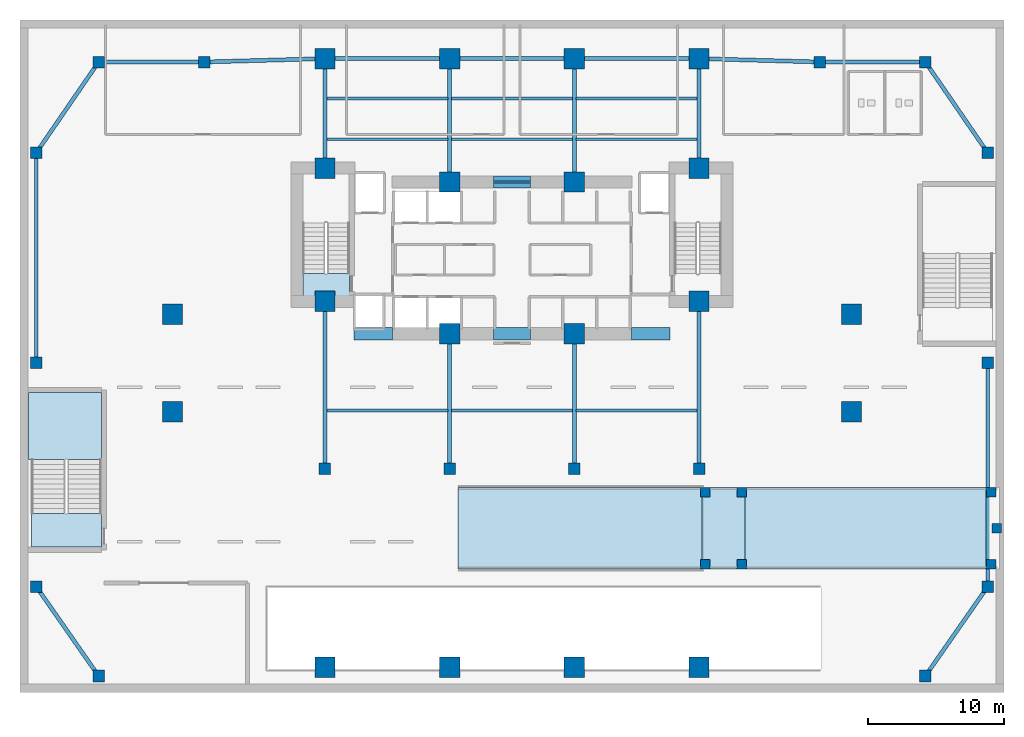
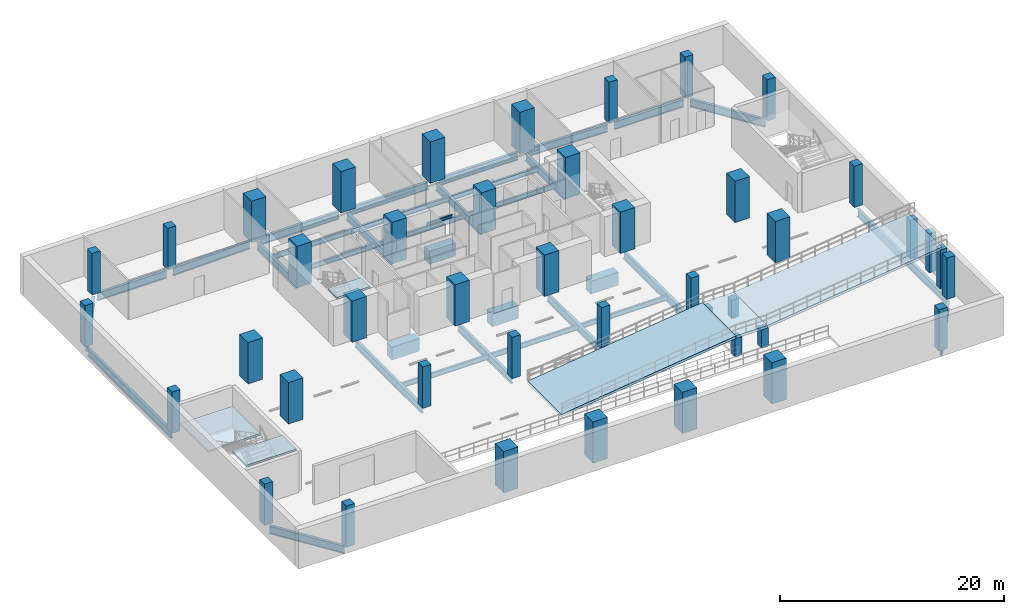
# One storey, part 1 of 13: 43 columns, 35 beams, 6 slabs, 2 elements without a shape of their own.
"""IFC4 building model written with IfcOpenShell, lengths in metres."""

from ifc_helpers import new_model, si_unit, direction, frame, origin, origin_2d, place, context, subcontext, project, spatial, polyline, rectangle, i_section, outline, extrude, material, layer, layer_set, material_profile, profile_set, type_object, element, aggregate, save


model = new_model("IFC4")

# Units and contexts
model_context = context("Model", 3, precision=1e-05, world=origin(), true_north=direction((0.0, 1.0)))
body_context = subcontext(model_context, "Body", "Model", "MODEL_VIEW")
ifc_project = project(units=[si_unit("LENGTHUNIT", "METRE"), si_unit("AREAUNIT", "SQUARE_METRE"), si_unit("VOLUMEUNIT", "CUBIC_METRE"), si_unit("PLANEANGLEUNIT", "RADIAN"), si_unit("MASSUNIT", "GRAM", prefix="KILO")], contexts=[model_context])

# Site, building, storey
site_placement = place(None, origin())
site = spatial("IfcSite", under=ifc_project, at=site_placement, CompositionType="ELEMENT")
building_placement = place(site_placement, origin())
building = spatial("IfcBuilding", under=site, at=building_placement, Name="Zuhayl Quay Hotel", CompositionType="ELEMENT")
storey_placement = place(building_placement, frame((0.0, 0.0, -4.5)))
storey = spatial("IfcBuildingStorey", under=building, at=storey_placement, Name="B1", CompositionType="ELEMENT", Elevation=-4.5)

# Columns
ifc_material_1 = material(Name="Concrete C70/85", Category="concrete")
ifc_material_profile_1 = material_profile(ifc_material_1, rectangle(XDim=1.5, YDim=1.5, at=origin_2d()), Name="RC1500X1500")
ifc_profile_set_1 = profile_set([ifc_material_profile_1], Name="Concrete C70/85")
column_type_1 = type_object("IfcColumnType", Name="CL_CC1_1500", PredefinedType="COLUMN", material=ifc_profile_set_1)
for number, where, z_axis, x_axis, name in (
    (1, (-13.800048828125, 14.35009765625, 0.0), (0.0, 0.0, 1.0), (1.0, 0.0, 0.0), "B1 Core Column CC_NW"),
    (2, (-4.60009765625, 13.35009765625, 0.0), (0.0, 0.0, 1.0), (1.0, 0.0, 0.0), "B1 Core Column CC_CNW"),
    (3, (4.60009765625, 13.35009765625, 0.0), (0.0, 0.0, 1.0), (1.0, 0.0, 0.0), "B1 Core Column CC_CNE"),
    (4, (13.800048828125, 14.35009765625, 0.0), (0.0, 0.0, 1.0), (1.0, 0.0, 0.0), "B1 Core Column CC_NE"),
    (5, (-13.800048828125, 4.550048828125, 0.0), (0.0, 0.0, 1.0), (1.0, 0.0, 0.0), "B1 Core Column CC_SW"),
    (6, (-4.60009765625, 2.14990234375, 0.0), (0.0, 0.0, 1.0), (1.0, 0.0, 0.0), "B1 Core Column CC_CSW"),
    (7, (4.60009765625, 2.14990234375, 0.0), (0.0, 0.0, 1.0), (1.0, 0.0, 0.0), "B1 Core Column CC_CSE"),
    (8, (13.800048828125, 4.550048828125, 0.0), (0.0, 0.0, 1.0), (1.0, 0.0, 0.0), "B1 Core Column CC_SE"),
):
    element("IfcColumn", number, at=place(storey_placement, frame(where, z_axis=z_axis, x_axis=x_axis)), inside=storey, type_object=column_type_1, Name=name, PredefinedType="COLUMN", context=body_context, shape_type="SweptSolid", body=[
        extrude(rectangle(XDim=1.5, YDim=1.5, at=origin_2d()), origin(), (0.0, 0.0, 1.0), 4.5),
    ])
ifc_material_profile_2 = material_profile(ifc_material_1, rectangle(XDim=1.5, YDim=1.5, at=origin_2d()), Name="RC1500X1500")
ifc_profile_set_2 = profile_set([ifc_material_profile_2], Name="Concrete C70/85")
column_type_2 = type_object("IfcColumnType", Name="CL_MC1_1500", PredefinedType="COLUMN", material=ifc_profile_set_2)
for number, where, z_axis, x_axis, name in (
    (9, (-13.800048828125, -22.449951171875, 0.0), (0.0, 0.0, 1.0), (1.0, 0.0, 0.0), "B1 Mega-Column MC_S1"),
    (10, (-4.60009765625, -22.449951171875, 0.0), (0.0, 0.0, 1.0), (1.0, 0.0, 0.0), "B1 Mega-Column MC_S2"),
    (11, (4.60009765625, -22.449951171875, 0.0), (0.0, 0.0, 1.0), (1.0, 0.0, 0.0), "B1 Mega-Column MC_S3"),
    (12, (13.800048828125, -22.449951171875, 0.0), (0.0, 0.0, 1.0), (1.0, 0.0, 0.0), "B1 Mega-Column MC_S4"),
    (13, (-13.800048828125, 22.449951171875, 0.0), (0.0, 0.0, 1.0), (1.0, 0.0, 0.0), "B1 Mega-Column MC_N1"),
    (14, (-4.60009765625, 22.449951171875, 0.0), (0.0, 0.0, 1.0), (1.0, 0.0, 0.0), "B1 Mega-Column MC_N2"),
    (15, (4.60009765625, 22.449951171875, 0.0), (0.0, 0.0, 1.0), (1.0, 0.0, 0.0), "B1 Mega-Column MC_N3"),
    (16, (13.800048828125, 22.449951171875, 0.0), (0.0, 0.0, 1.0), (1.0, 0.0, 0.0), "B1 Mega-Column MC_N4"),
    (17, (-25.050048828125, -3.60009765625, 0.0), (0.0, 0.0, 1.0), (1.0, 0.0, 0.0), "B1 Mega-Column MC_W1"),
    (18, (-25.050048828125, 3.60009765625, 0.0), (0.0, 0.0, 1.0), (1.0, 0.0, 0.0), "B1 Mega-Column MC_W2"),
    (19, (25.050048828125, -3.60009765625, 0.0), (0.0, 0.0, 1.0), (1.0, 0.0, 0.0), "B1 Mega-Column MC_E1"),
    (20, (25.050048828125, 3.60009765625, 0.0), (0.0, 0.0, 1.0), (1.0, 0.0, 0.0), "B1 Mega-Column MC_E2"),
):
    element("IfcColumn", number, at=place(storey_placement, frame(where, z_axis=z_axis, x_axis=x_axis)), inside=storey, type_object=column_type_2, Name=name, PredefinedType="COLUMN", context=body_context, shape_type="SweptSolid", body=[
        extrude(rectangle(XDim=1.5, YDim=1.5, at=origin_2d()), origin(), (0.0, 0.0, 1.0), 4.5),
    ])
ifc_material_2 = material(Name="Concrete C50/60", Category="concrete")
ifc_material_profile_3 = material_profile(ifc_material_2, rectangle(XDim=0.85009765625, YDim=0.85009765625, at=origin_2d()), Name="RC850X850")
ifc_profile_set_3 = profile_set([ifc_material_profile_3], Name="Concrete C50/60")
column_type_3 = type_object("IfcColumnType", Name="CL_PC1_850", PredefinedType="COLUMN", material=ifc_profile_set_3)
for number, where, z_axis, x_axis, name in (
    (21, (-30.5, -23.10009765625, 0.0), (0.0, 0.0, 1.0), (1.0, 0.0, 0.0), "B1 Podium Column PC_SW"),
    (22, (30.5, -23.10009765625, 0.0), (0.0, 0.0, 1.0), (1.0, 0.0, 0.0), "B1 Podium Column PC_SE"),
    (23, (-30.5, 22.199951171875, 0.0), (0.0, 0.0, 1.0), (1.0, 0.0, 0.0), "B1 Podium Column PC_NW"),
    (24, (30.5, 22.199951171875, 0.0), (0.0, 0.0, 1.0), (1.0, 0.0, 0.0), "B1 Podium Column PC_NE"),
    (25, (-35.10009765625, -16.5, 0.0), (0.0, 0.0, 1.0), (1.0, 0.0, 0.0), "B1 Podium Column PC_W1"),
    (26, (-35.10009765625, 0.0, 0.0), (0.0, 0.0, 1.0), (1.0, 0.0, 0.0), "B1 Podium Column PC_W2"),
    (27, (-35.10009765625, 15.5, 0.0), (0.0, 0.0, 1.0), (1.0, 0.0, 0.0), "B1 Podium Column PC_W3"),
    (28, (35.10009765625, -16.5, 0.0), (0.0, 0.0, 1.0), (1.0, 0.0, 0.0), "B1 Podium Column PC_E1"),
    (29, (35.10009765625, 0.0, 0.0), (0.0, 0.0, 1.0), (1.0, 0.0, 0.0), "B1 Podium Column PC_E2"),
    (30, (35.10009765625, 15.5, 0.0), (0.0, 0.0, 1.0), (1.0, 0.0, 0.0), "B1 Podium Column PC_E3"),
    (31, (-22.699951171875, 22.199951171875, 0.0), (0.0, 0.0, 1.0), (1.0, 0.0, 0.0), "B1 Podium Column PC_N1"),
    (32, (22.699951171875, 22.199951171875, 0.0), (0.0, 0.0, 1.0), (1.0, 0.0, 0.0), "B1 Podium Column PC_N2"),
    (33, (-13.800048828125, -7.800048828125, 0.0), (0.0, 0.0, 1.0), (1.0, 0.0, 0.0), "B1 Podium Column BC_C1"),
    (34, (-4.60009765625, -7.800048828125, 0.0), (0.0, 0.0, 1.0), (1.0, 0.0, 0.0), "B1 Podium Column BC_C2"),
    (35, (4.60009765625, -7.800048828125, 0.0), (0.0, 0.0, 1.0), (1.0, 0.0, 0.0), "B1 Podium Column BC_C3"),
    (36, (13.800048828125, -7.800048828125, 0.0), (0.0, 0.0, 1.0), (1.0, 0.0, 0.0), "B1 Podium Column BC_C4"),
):
    element("IfcColumn", number, at=place(storey_placement, frame(where, z_axis=z_axis, x_axis=x_axis)), inside=storey, type_object=column_type_3, Name=name, PredefinedType="COLUMN", context=body_context, shape_type="SweptSolid", body=[
        extrude(rectangle(XDim=0.85009765625, YDim=0.85009765625, at=origin_2d()), origin(), (0.0, 0.0, 1.0), 4.5),
    ])
ifc_material_profile_4 = material_profile(ifc_material_2, rectangle(XDim=0.699951171875, YDim=0.699951171875, at=origin_2d()), Name="RC700X700")
ifc_profile_set_4 = profile_set([ifc_material_profile_4], Name="Concrete C50/60")
column_type_4 = type_object("IfcColumnType", Name="CL_PC2_700", PredefinedType="COLUMN", material=ifc_profile_set_4)
for number, where, z_axis, x_axis, name in (
    (37, (14.25, -14.85009765625, 0.0), (0.0, 0.0, 1.0), (1.0, 0.0, 0.0), "B1 Vehicle Ramp Support Column 1"),
    (38, (16.949951171875, -14.85009765625, 0.0), (0.0, 0.0, 1.0), (1.0, 0.0, 0.0), "B1 Vehicle Ramp Support Column 2"),
    (39, (14.25, -9.550048828125, 0.0), (0.0, 0.0, 1.0), (1.0, 0.0, 0.0), "B1 Vehicle Ramp Support Column 3"),
    (40, (16.949951171875, -9.550048828125, 0.0), (0.0, 0.0, 1.0), (1.0, 0.0, 0.0), "B1 Vehicle Ramp Support Column 4"),
):
    element("IfcColumn", number, at=place(storey_placement, frame(where, z_axis=z_axis, x_axis=x_axis)), inside=storey, type_object=column_type_4, Name=name, PredefinedType="COLUMN", context=body_context, shape_type="SweptSolid", body=[
        extrude(rectangle(XDim=0.699951171875, YDim=0.699951171875, at=origin_2d()), origin(), (0.0, 0.0, 1.0), 1.969970703125),
    ])
for number, where, z_axis, x_axis, name in (
    (41, (35.35009765625, -14.85009765625, 0.0), (0.0, 0.0, 1.0), (1.0, 0.0, 0.0), "B1 Grade Ramp Arrival Column 1"),
    (42, (35.35009765625, -9.550048828125, 0.0), (0.0, 0.0, 1.0), (1.0, 0.0, 0.0), "B1 Grade Ramp Arrival Column 2"),
    (43, (35.75, -12.199951171875, 0.0), (0.0, 0.0, 1.0), (1.0, 0.0, 0.0), "B1 Grade Ramp Arrival Column 3"),
):
    element("IfcColumn", number, at=place(storey_placement, frame(where, z_axis=z_axis, x_axis=x_axis)), inside=storey, type_object=column_type_4, Name=name, PredefinedType="COLUMN", context=body_context, shape_type="SweptSolid", body=[
        extrude(rectangle(XDim=0.699951171875, YDim=0.699951171875, at=origin_2d()), origin(), (0.0, 0.0, 1.0), 4.219970703125),
    ])

# Beams
ifc_material_3 = material(Name="Concrete C60/75", Category="concrete")
ifc_material_profile_5 = material_profile(ifc_material_3, rectangle(XDim=0.89990234375, YDim=1.39990234375, at=origin_2d()), Name="RC900X1400")
ifc_profile_set_5 = profile_set([ifc_material_profile_5], Name="Concrete C60/75")
beam_type_1 = type_object("IfcBeamType", Name="BM_CB1_RC900", PredefinedType="T_BEAM", material=ifc_profile_set_5)
for number, where, z_axis, x_axis, name in (
    (44, (-11.64990234375, 2.14990234375, -0.9599609375), (1.0, 0.0, 0.0), (0.0, 1.0, 0.0), "B1 Core Coupling Beam SW"),
    (45, (8.800048828125, 2.14990234375, -0.9599609375), (1.0, 0.0, 0.0), (0.0, 1.0, 0.0), "B1 Core Coupling Beam SE"),
):
    element("IfcBeam", number, at=place(storey_placement, frame(where, z_axis=z_axis, x_axis=x_axis)), inside=storey, type_object=beam_type_1, Name=name, PredefinedType="T_BEAM", context=body_context, shape_type="SweptSolid", body=[
        extrude(rectangle(XDim=0.89990234375, YDim=1.39990234375, at=origin_2d()), origin(), (0.0, 0.0, 1.0), 2.849853515625),
    ])
for number, where, z_axis, x_axis, name in (
    (46, (-1.35009765625, 13.35009765625, -0.9599609375), (1.0, 0.0, 0.0), (0.0, 1.0, 0.0), "B1 Core Coupling Beam North"),
    (47, (-1.35009765625, 2.14990234375, -0.9599609375), (1.0, 0.0, 0.0), (0.0, 1.0, 0.0), "B1 Core Coupling Beam South"),
):
    element("IfcBeam", number, at=place(storey_placement, frame(where, z_axis=z_axis, x_axis=x_axis)), inside=storey, type_object=beam_type_1, Name=name, PredefinedType="T_BEAM", context=body_context, shape_type="SweptSolid", body=[
        extrude(rectangle(XDim=0.89990234375, YDim=1.39990234375, at=origin_2d()), origin(), (0.0, 0.0, 1.0), 2.7001953125),
    ])
ifc_material_4 = material(Name="Steel ASTM A992 Grade 50", Category="steel")
ifc_material_profile_6 = material_profile(ifc_material_4, i_section(OverallWidth=0.208984375, OverallDepth=0.532958984375, WebThickness=0.01025390625, FlangeThickness=0.015625, at=origin_2d()), Name="W21X62")
ifc_profile_set_6 = profile_set([ifc_material_profile_6], Name="Steel ASTM A992 Grade 50")
beam_type_2 = type_object("IfcBeamType", Name="BM_J1_W21X62", PredefinedType="JOIST", material=ifc_profile_set_6)
beam_1_placement = place(storey_placement, frame((-13.662109375, -3.5, -0.526611328125), z_axis=(1.0, 0.0, 0.0), x_axis=(0.0, 1.0, 0.0)))
element("IfcBeam", 48, at=beam_1_placement, inside=storey, type_object=beam_type_2, Name="B1 Floor Beam J_POD_B1_3_1", PredefinedType="JOIST", context=body_context, shape_type="SweptSolid", body=[
    extrude(i_section(OverallWidth=0.208984375, OverallDepth=0.532958984375, WebThickness=0.01025390625, FlangeThickness=0.015625, at=origin_2d()), origin(), (0.0, 0.0, 1.0), 8.924072265625),
])
beam_2_placement = place(storey_placement, frame((-4.4619140625, -3.5, -0.526611328125), z_axis=(1.0, 0.0, 0.0), x_axis=(0.0, 1.0, 0.0)))
element("IfcBeam", 49, at=beam_2_placement, inside=storey, type_object=beam_type_2, Name="B1 Floor Beam J_POD_B1_3_2", PredefinedType="JOIST", context=body_context, shape_type="SweptSolid", body=[
    extrude(i_section(OverallWidth=0.208984375, OverallDepth=0.532958984375, WebThickness=0.01025390625, FlangeThickness=0.015625, at=origin_2d()), origin(), (0.0, 0.0, 1.0), 8.923828125),
])
for number, where, z_axis, x_axis, name in (
    (50, (4.738037109375, -3.5, -0.526611328125), (1.0, 0.0, 0.0), (0.0, 1.0, 0.0), "B1 Floor Beam J_POD_B1_3_3"),
    (51, (-13.662109375, 16.5, -0.526611328125), (1.0, 0.0, 0.0), (0.0, 1.0, 0.0), "B1 Floor Beam J_POD_B1_4_1"),
):
    element("IfcBeam", number, at=place(storey_placement, frame(where, z_axis=z_axis, x_axis=x_axis)), inside=storey, type_object=beam_type_2, Name=name, PredefinedType="JOIST", context=body_context, shape_type="SweptSolid", body=[
        extrude(i_section(OverallWidth=0.208984375, OverallDepth=0.532958984375, WebThickness=0.01025390625, FlangeThickness=0.015625, at=origin_2d()), origin(), (0.0, 0.0, 1.0), 8.924072265625),
    ])
beam_3_placement = place(storey_placement, frame((-4.4619140625, 16.5, -0.526611328125), z_axis=(1.0, 0.0, 0.0), x_axis=(0.0, 1.0, 0.0)))
element("IfcBeam", 52, at=beam_3_placement, inside=storey, type_object=beam_type_2, Name="B1 Floor Beam J_POD_B1_4_2", PredefinedType="JOIST", context=body_context, shape_type="SweptSolid", body=[
    extrude(i_section(OverallWidth=0.208984375, OverallDepth=0.532958984375, WebThickness=0.01025390625, FlangeThickness=0.015625, at=origin_2d()), origin(), (0.0, 0.0, 1.0), 8.923828125),
])
for number, where, z_axis, x_axis, name in (
    (53, (4.738037109375, 16.5, -0.526611328125), (1.0, 0.0, 0.0), (0.0, 1.0, 0.0), "B1 Floor Beam J_POD_B1_4_3"),
    (54, (-13.662109375, 19.5, -0.526611328125), (1.0, 0.0, 0.0), (0.0, 1.0, 0.0), "B1 Floor Beam J_POD_B1_5_1"),
):
    element("IfcBeam", number, at=place(storey_placement, frame(where, z_axis=z_axis, x_axis=x_axis)), inside=storey, type_object=beam_type_2, Name=name, PredefinedType="JOIST", context=body_context, shape_type="SweptSolid", body=[
        extrude(i_section(OverallWidth=0.208984375, OverallDepth=0.532958984375, WebThickness=0.01025390625, FlangeThickness=0.015625, at=origin_2d()), origin(), (0.0, 0.0, 1.0), 8.924072265625),
    ])
beam_4_placement = place(storey_placement, frame((-4.4619140625, 19.5, -0.526611328125), z_axis=(1.0, 0.0, 0.0), x_axis=(0.0, 1.0, 0.0)))
element("IfcBeam", 55, at=beam_4_placement, inside=storey, type_object=beam_type_2, Name="B1 Floor Beam J_POD_B1_5_2", PredefinedType="JOIST", context=body_context, shape_type="SweptSolid", body=[
    extrude(i_section(OverallWidth=0.208984375, OverallDepth=0.532958984375, WebThickness=0.01025390625, FlangeThickness=0.015625, at=origin_2d()), origin(), (0.0, 0.0, 1.0), 8.923828125),
])
beam_5_placement = place(storey_placement, frame((4.738037109375, 19.5, -0.526611328125), z_axis=(1.0, 0.0, 0.0), x_axis=(0.0, 1.0, 0.0)))
element("IfcBeam", 56, at=beam_5_placement, inside=storey, type_object=beam_type_2, Name="B1 Floor Beam J_POD_B1_5_3", PredefinedType="JOIST", context=body_context, shape_type="SweptSolid", body=[
    extrude(i_section(OverallWidth=0.208984375, OverallDepth=0.532958984375, WebThickness=0.01025390625, FlangeThickness=0.015625, at=origin_2d()), origin(), (0.0, 0.0, 1.0), 8.924072265625),
])
ifc_material_profile_7 = material_profile(ifc_material_4, i_section(OverallWidth=0.1650390625, OverallDepth=0.31005859375, WebThickness=0.005859375, FlangeThickness=0.009765625, at=origin_2d()), Name="W12X26")
ifc_profile_set_7 = profile_set([ifc_material_profile_7], Name="Steel ASTM A992 Grade 50")
beam_type_3 = type_object("IfcBeamType", Name="BM_LN1_W12X26", PredefinedType="LINTEL", material=ifc_profile_set_7)
beam_6_placement = place(storey_placement, frame((-1.35009765625, 13.35009765625, 2.449951171875), z_axis=(1.0, 0.0, 0.0), x_axis=(0.0, 1.0, 0.0)))
element("IfcBeam", 57, at=beam_6_placement, inside=storey, type_object=beam_type_3, Name="B1 Core Portal Header Steel Lintel LN1-2", PredefinedType="LINTEL", context=body_context, shape_type="SweptSolid", body=[
    extrude(i_section(OverallWidth=0.1650390625, OverallDepth=0.31005859375, WebThickness=0.005859375, FlangeThickness=0.009765625, at=origin_2d()), origin(), (0.0, 0.0, 1.0), 2.7001953125),
])
ifc_material_profile_8 = material_profile(ifc_material_4, i_section(OverallWidth=0.2919921875, OverallDepth=0.845947265625, WebThickness=0.015380859375, FlangeThickness=0.0244140625, at=origin_2d()), Name="W33X141")
ifc_profile_set_8 = profile_set([ifc_material_profile_8], Name="Steel ASTM A992 Grade 50")
beam_type_4 = type_object("IfcBeamType", Name="BM_PG3_W33X141", PredefinedType="BEAM", material=ifc_profile_set_8)
beam_7_placement = place(storey_placement, frame((-30.159912109375, 22.199951171875, -0.68310546875), z_axis=(1.0, 0.0, 0.0), x_axis=(0.0, 1.0, 0.0)))
element("IfcBeam", 58, at=beam_7_placement, inside=storey, type_object=beam_type_4, Name="B1 Floor Beam PG_N_B1_0", PredefinedType="BEAM", context=body_context, shape_type="SweptSolid", body=[
    extrude(i_section(OverallWidth=0.2919921875, OverallDepth=0.845947265625, WebThickness=0.015380859375, FlangeThickness=0.0244140625, at=origin_2d()), origin(), (0.0, 0.0, 1.0), 7.119873046875),
])
beam_8_placement = place(storey_placement, frame((-22.360107421875, 22.20947265625, -0.68310546875), z_axis=(0.99960539529, 0.028090099801, 0.0), x_axis=(-0.028090099801, 0.99960539529, 0.0)))
element("IfcBeam", 59, at=beam_8_placement, inside=storey, type_object=beam_type_4, Name="B1 Floor Beam PG_N_B1_1", PredefinedType="BEAM", context=body_context, shape_type="SweptSolid", body=[
    extrude(i_section(OverallWidth=0.2919921875, OverallDepth=0.845947265625, WebThickness=0.015380859375, FlangeThickness=0.0244140625, at=origin_2d()), origin(), (0.0, 0.0, 1.0), 8.013427734375),
])
for number, where, z_axis, x_axis, name in (
    (60, (-13.25, 22.449951171875, -0.68310546875), (1.0, 0.0, 0.0), (0.0, 1.0, 0.0), "B1 Floor Beam PG_N_B1_2"),
    (61, (-4.050048828125, 22.449951171875, -0.68310546875), (1.0, 0.0, 0.0), (0.0, 1.0, 0.0), "B1 Floor Beam PG_N_B1_3"),
    (62, (5.14990234375, 22.449951171875, -0.68310546875), (1.0, 0.0, 0.0), (0.0, 1.0, 0.0), "B1 Floor Beam PG_N_B1_4"),
):
    element("IfcBeam", number, at=place(storey_placement, frame(where, z_axis=z_axis, x_axis=x_axis)), inside=storey, type_object=beam_type_4, Name=name, PredefinedType="BEAM", context=body_context, shape_type="SweptSolid", body=[
        extrude(i_section(OverallWidth=0.2919921875, OverallDepth=0.845947265625, WebThickness=0.015380859375, FlangeThickness=0.0244140625, at=origin_2d()), origin(), (0.0, 0.0, 1.0), 8.10009765625),
    ])
beam_9_placement = place(storey_placement, frame((14.349853515625, 22.4345703125, -0.68310546875), z_axis=(0.99960539529, -0.028090099801, 0.0), x_axis=(0.028090099801, 0.99960539529, 0.0)))
element("IfcBeam", 63, at=beam_9_placement, inside=storey, type_object=beam_type_4, Name="B1 Floor Beam PG_N_B1_5", PredefinedType="BEAM", context=body_context, shape_type="SweptSolid", body=[
    extrude(i_section(OverallWidth=0.2919921875, OverallDepth=0.845947265625, WebThickness=0.015380859375, FlangeThickness=0.0244140625, at=origin_2d()), origin(), (0.0, 0.0, 1.0), 8.013427734375),
])
beam_10_placement = place(storey_placement, frame((23.0400390625, 22.199951171875, -0.68310546875), z_axis=(1.0, 0.0, 0.0), x_axis=(0.0, 1.0, 0.0)))
element("IfcBeam", 64, at=beam_10_placement, inside=storey, type_object=beam_type_4, Name="B1 Floor Beam PG_N_B1_6", PredefinedType="BEAM", context=body_context, shape_type="SweptSolid", body=[
    extrude(i_section(OverallWidth=0.2919921875, OverallDepth=0.845947265625, WebThickness=0.015380859375, FlangeThickness=0.0244140625, at=origin_2d()), origin(), (0.0, 0.0, 1.0), 7.119873046875),
])
beam_11_placement = place(storey_placement, frame((-30.6943359375, -22.821044921875, -0.68310546875), z_axis=(-0.571785900762, 0.820402878889, 0.0), x_axis=(-0.820402878889, -0.571785900762, 0.0)))
element("IfcBeam", 65, at=beam_11_placement, inside=storey, type_object=beam_type_4, Name="B1 Floor Beam PG_W_B1_0", PredefinedType="BEAM", context=body_context, shape_type="SweptSolid", body=[
    extrude(i_section(OverallWidth=0.2919921875, OverallDepth=0.845947265625, WebThickness=0.015380859375, FlangeThickness=0.0244140625, at=origin_2d()), origin(), (0.0, 0.0, 1.0), 7.364990234375),
])
beam_12_placement = place(storey_placement, frame((-35.10009765625, 0.340087890625, -0.68310546875), z_axis=(0.0, 1.0, 0.0), x_axis=(-1.0, 0.0, 0.0)))
element("IfcBeam", 66, at=beam_12_placement, inside=storey, type_object=beam_type_4, Name="B1 Floor Beam PG_W_B1_2", PredefinedType="BEAM", context=body_context, shape_type="SweptSolid", body=[
    extrude(i_section(OverallWidth=0.2919921875, OverallDepth=0.845947265625, WebThickness=0.015380859375, FlangeThickness=0.0244140625, at=origin_2d()), origin(), (0.0, 0.0, 1.0), 14.81982421875),
])
beam_13_placement = place(storey_placement, frame((-34.90771484375, 15.7802734375, -0.68310546875), z_axis=(0.566026455068, 0.824387076659, 0.0), x_axis=(-0.824387076659, 0.566026455068, 0.0)))
element("IfcBeam", 67, at=beam_13_placement, inside=storey, type_object=beam_type_4, Name="B1 Floor Beam PG_W_B1_3", PredefinedType="BEAM", context=body_context, shape_type="SweptSolid", body=[
    extrude(i_section(OverallWidth=0.2919921875, OverallDepth=0.845947265625, WebThickness=0.015380859375, FlangeThickness=0.0244140625, at=origin_2d()), origin(), (0.0, 0.0, 1.0), 7.447265625),
])
beam_14_placement = place(storey_placement, frame((30.6943359375, -22.821044921875, -0.68310546875), z_axis=(0.571785900762, 0.820402878889, 0.0), x_axis=(-0.820402878889, 0.571785900762, 0.0)))
element("IfcBeam", 68, at=beam_14_placement, inside=storey, type_object=beam_type_4, Name="B1 Floor Beam PG_E_B1_0", PredefinedType="BEAM", context=body_context, shape_type="SweptSolid", body=[
    extrude(i_section(OverallWidth=0.2919921875, OverallDepth=0.845947265625, WebThickness=0.015380859375, FlangeThickness=0.0244140625, at=origin_2d()), origin(), (0.0, 0.0, 1.0), 7.364990234375),
])
beam_15_placement = place(storey_placement, frame((35.10009765625, -16.159912109375, -0.68310546875), z_axis=(0.0, 1.0, 0.0), x_axis=(-1.0, 0.0, 0.0)))
element("IfcBeam", 69, at=beam_15_placement, inside=storey, type_object=beam_type_4, Name="B1 Floor Beam PG_E_B1_1", PredefinedType="BEAM", context=body_context, shape_type="SweptSolid", body=[
    extrude(i_section(OverallWidth=0.2919921875, OverallDepth=0.845947265625, WebThickness=0.015380859375, FlangeThickness=0.0244140625, at=origin_2d()), origin(), (0.0, 0.0, 1.0), 15.81982421875),
])
beam_16_placement = place(storey_placement, frame((34.90771484375, 15.7802734375, -0.68310546875), z_axis=(-0.566026455068, 0.824387076659, 0.0), x_axis=(-0.824387076659, -0.566026455068, 0.0)))
element("IfcBeam", 70, at=beam_16_placement, inside=storey, type_object=beam_type_4, Name="B1 Floor Beam PG_E_B1_3", PredefinedType="BEAM", context=body_context, shape_type="SweptSolid", body=[
    extrude(i_section(OverallWidth=0.2919921875, OverallDepth=0.845947265625, WebThickness=0.015380859375, FlangeThickness=0.0244140625, at=origin_2d()), origin(), (0.0, 0.0, 1.0), 7.447265625),
])
beam_17_placement = place(storey_placement, frame((-13.800048828125, -7.449951171875, -0.68310546875), z_axis=(0.0, 1.0, 0.0), x_axis=(-1.0, 0.0, 0.0)))
element("IfcBeam", 71, at=beam_17_placement, inside=storey, type_object=beam_type_4, Name="B1 Floor Beam PG_NS2_B1_1", PredefinedType="BEAM", context=body_context, shape_type="SweptSolid", body=[
    extrude(i_section(OverallWidth=0.2919921875, OverallDepth=0.845947265625, WebThickness=0.015380859375, FlangeThickness=0.0244140625, at=origin_2d()), origin(), (0.0, 0.0, 1.0), 11.89990234375),
])
beam_18_placement = place(storey_placement, frame((-13.800048828125, 14.919921875, -0.68310546875), z_axis=(0.0, 1.0, 0.0), x_axis=(-1.0, 0.0, 0.0)))
element("IfcBeam", 72, at=beam_18_placement, inside=storey, type_object=beam_type_4, Name="B1 Floor Beam PG_NS3_B1_1", PredefinedType="BEAM", context=body_context, shape_type="SweptSolid", body=[
    extrude(i_section(OverallWidth=0.2919921875, OverallDepth=0.845947265625, WebThickness=0.015380859375, FlangeThickness=0.0244140625, at=origin_2d()), origin(), (0.0, 0.0, 1.0), 7.010009765625),
])
beam_19_placement = place(storey_placement, frame((-4.60009765625, -7.449951171875, -0.68310546875), z_axis=(0.0, 1.0, 0.0), x_axis=(-1.0, 0.0, 0.0)))
element("IfcBeam", 73, at=beam_19_placement, inside=storey, type_object=beam_type_4, Name="B1 Floor Beam PG_NS2_B1_2", PredefinedType="BEAM", context=body_context, shape_type="SweptSolid", body=[
    extrude(i_section(OverallWidth=0.2919921875, OverallDepth=0.845947265625, WebThickness=0.015380859375, FlangeThickness=0.0244140625, at=origin_2d()), origin(), (0.0, 0.0, 1.0), 9.550048828125),
])
beam_20_placement = place(storey_placement, frame((-4.60009765625, 13.8701171875, -0.68310546875), z_axis=(0.0, 1.0, 0.0), x_axis=(-1.0, 0.0, 0.0)))
element("IfcBeam", 74, at=beam_20_placement, inside=storey, type_object=beam_type_4, Name="B1 Floor Beam PG_NS3_B1_2", PredefinedType="BEAM", context=body_context, shape_type="SweptSolid", body=[
    extrude(i_section(OverallWidth=0.2919921875, OverallDepth=0.845947265625, WebThickness=0.015380859375, FlangeThickness=0.0244140625, at=origin_2d()), origin(), (0.0, 0.0, 1.0), 8.059814453125),
])
beam_21_placement = place(storey_placement, frame((4.60009765625, -7.449951171875, -0.68310546875), z_axis=(0.0, 1.0, 0.0), x_axis=(-1.0, 0.0, 0.0)))
element("IfcBeam", 75, at=beam_21_placement, inside=storey, type_object=beam_type_4, Name="B1 Floor Beam PG_NS2_B1_3", PredefinedType="BEAM", context=body_context, shape_type="SweptSolid", body=[
    extrude(i_section(OverallWidth=0.2919921875, OverallDepth=0.845947265625, WebThickness=0.015380859375, FlangeThickness=0.0244140625, at=origin_2d()), origin(), (0.0, 0.0, 1.0), 9.550048828125),
])
beam_22_placement = place(storey_placement, frame((4.60009765625, 13.8701171875, -0.68310546875), z_axis=(0.0, 1.0, 0.0), x_axis=(-1.0, 0.0, 0.0)))
element("IfcBeam", 76, at=beam_22_placement, inside=storey, type_object=beam_type_4, Name="B1 Floor Beam PG_NS3_B1_3", PredefinedType="BEAM", context=body_context, shape_type="SweptSolid", body=[
    extrude(i_section(OverallWidth=0.2919921875, OverallDepth=0.845947265625, WebThickness=0.015380859375, FlangeThickness=0.0244140625, at=origin_2d()), origin(), (0.0, 0.0, 1.0), 8.059814453125),
])
beam_23_placement = place(storey_placement, frame((13.800048828125, -7.449951171875, -0.68310546875), z_axis=(0.0, 1.0, 0.0), x_axis=(-1.0, 0.0, 0.0)))
element("IfcBeam", 77, at=beam_23_placement, inside=storey, type_object=beam_type_4, Name="B1 Floor Beam PG_NS2_B1_4", PredefinedType="BEAM", context=body_context, shape_type="SweptSolid", body=[
    extrude(i_section(OverallWidth=0.2919921875, OverallDepth=0.845947265625, WebThickness=0.015380859375, FlangeThickness=0.0244140625, at=origin_2d()), origin(), (0.0, 0.0, 1.0), 11.89990234375),
])
beam_24_placement = place(storey_placement, frame((13.800048828125, 14.919921875, -0.68310546875), z_axis=(0.0, 1.0, 0.0), x_axis=(-1.0, 0.0, 0.0)))
element("IfcBeam", 78, at=beam_24_placement, inside=storey, type_object=beam_type_4, Name="B1 Floor Beam PG_NS3_B1_4", PredefinedType="BEAM", context=body_context, shape_type="SweptSolid", body=[
    extrude(i_section(OverallWidth=0.2919921875, OverallDepth=0.845947265625, WebThickness=0.015380859375, FlangeThickness=0.0244140625, at=origin_2d()), origin(), (0.0, 0.0, 1.0), 7.010009765625),
])

# Slab
ifc_material_5 = material(Name="Concrete C45/55", Category="concrete")
ifc_layer_1 = layer(ifc_material_5, 0.280029296875, Name="Concrete C45/55", Category="concrete")
ifc_layer_set_1 = layer_set([ifc_layer_1], Name="Concrete C45/55")
slab_type_1 = type_object("IfcSlabType", Name="SL_RAMP_LANDING_280", PredefinedType="LANDING", material=ifc_layer_set_1)
slab_1_placement = place(storey_placement, frame((0.0, 0.0, 1.969970703125)))
element("IfcSlab", 79, at=slab_1_placement, inside=storey, type_object=slab_type_1, Name="Car Park Vehicle Ramp VR1-B1 Mid Landing", PredefinedType="LANDING", context=body_context, shape_type="SweptSolid", body=[
    extrude(outline(polyline([(14.0, -15.199951171875), (17.199951171875, -15.199951171875), (17.199951171875, -9.199951171875), (14.0, -9.199951171875), (14.0, -15.199951171875)])), origin(), (0.0, 0.0, 1.0), 0.280029296875),
])

# Stair, slab
stair_type_1 = type_object("IfcStairType", Name="ST_DOGLEG_TOWER", PredefinedType="HALF_TURN_STAIR", material=ifc_material_5)
stair_1_placement = place(storey_placement, origin())
stair_1 = element("IfcStair", 80, at=stair_1_placement, inside=storey, type_object=stair_type_1, Name="B1 Smokeproof Exit Stair ST1", PredefinedType="HALF_TURN_STAIR")
ifc_layer_2 = layer(ifc_material_5, 0.199951171875, Name="Concrete C45/55", Category="concrete")
ifc_layer_set_2 = layer_set([ifc_layer_2], Name="Concrete C45/55")
slab_type_2 = type_object("IfcSlabType", Name="SL_STAIR_LANDING_200", PredefinedType="LANDING", material=ifc_layer_set_2)
slab_2_placement = place(storey_placement, frame((0.0, 0.0, 4.300048828125)))
slab_2 = element("IfcSlab", 81, at=slab_2_placement, type_object=slab_type_2, Name="ST1 landing 2", PredefinedType="LANDING", context=body_context, shape_type="SweptSolid", body=[
    extrude(outline(polyline([(-12.0, 4.949951171875), (-12.0, 6.590087890625), (-15.429931640625, 6.590087890625), (-15.429931640625, 4.949951171875), (-12.0, 4.949951171875)])), origin(), (0.0, 0.0, 1.0), 0.199951171875),
])
aggregate(stair_1, [slab_2])

# Stair, slabs
stair_type_2 = type_object("IfcStairType", Name="ST_DOGLEG_PODIUM", PredefinedType="HALF_TURN_STAIR", material=ifc_material_5)
stair_2_placement = place(storey_placement, origin())
stair_2 = element("IfcStair", 82, at=stair_2_placement, inside=storey, type_object=stair_type_2, Name="B1 Smokeproof Exit Stair ST3", PredefinedType="HALF_TURN_STAIR")
slab_3_placement = place(storey_placement, frame((0.0, 0.0, 2.050048828125)))
slab_3 = element("IfcSlab", 83, at=slab_3_placement, type_object=slab_type_2, Name="ST3 landing 1", PredefinedType="LANDING", context=body_context, shape_type="SweptSolid", body=[
    extrude(outline(polyline([(-30.300048828125, -7.139892578125), (-30.300048828125, -2.199951171875), (-35.68994140625, -2.199951171875), (-35.68994140625, -7.139892578125), (-30.300048828125, -7.139892578125)])), origin(), (0.0, 0.0, 1.0), 0.199951171875),
])
slab_4_placement = place(storey_placement, frame((0.0, 0.0, 4.300048828125)))
slab_4 = element("IfcSlab", 84, at=slab_4_placement, type_object=slab_type_2, Name="ST3 landing 2", PredefinedType="LANDING", context=body_context, shape_type="SweptSolid", body=[
    extrude(outline(polyline([(-30.300048828125, -13.60009765625), (-30.300048828125, -11.10009765625), (-35.449951171875, -11.10009765625), (-35.449951171875, -13.60009765625), (-30.300048828125, -13.60009765625)])), origin(), (0.0, 0.0, 1.0), 0.199951171875),
])
aggregate(stair_2, [slab_3, slab_4])

# Slabs
ifc_layer_3 = layer(ifc_material_5, 0.280029296875, Name="Concrete C45/55", Category="concrete")
ifc_layer_set_3 = layer_set([ifc_layer_3], Name="Concrete C45/55")
slab_type_3 = type_object("IfcSlabType", Name="SL_VEH_RAMP_280", PredefinedType="FLOOR", material=ifc_layer_set_3)
for number, where, z_axis, x_axis, name in (
    (85, (-4.0, -12.199951171875, 0.0), (0.0, 0.0, 1.0), (1.0, 0.0, 0.0), "Car Park Vehicle Ramp Slab VR1-B1 Lower"),
    (86, (17.199951171875, -12.199951171875, 2.25), (0.0, 0.0, 1.0), (1.0, 0.0, 0.0), "Car Park Vehicle Ramp Slab VR1-B1 Grade Exit"),
):
    element("IfcSlab", number, at=place(storey_placement, frame(where, z_axis=z_axis, x_axis=x_axis)), inside=storey, type_object=slab_type_3, Name=name, PredefinedType="FLOOR", context=body_context, shape_type="SweptSolid", body=[
        extrude(outline(polyline([(0.0, -0.280029296875), (18.0, 1.969970703125), (18.0, 2.25), (0.0, 0.0), (0.0, -0.280029296875)])), frame((0.0, 3.0, 0.0), z_axis=(0.0, -1.0, 0.0), x_axis=(1.0, 0.0, 0.0)), (0.0, 0.0, 1.0), 6.0),
    ])

save(model, "model.ifc")
